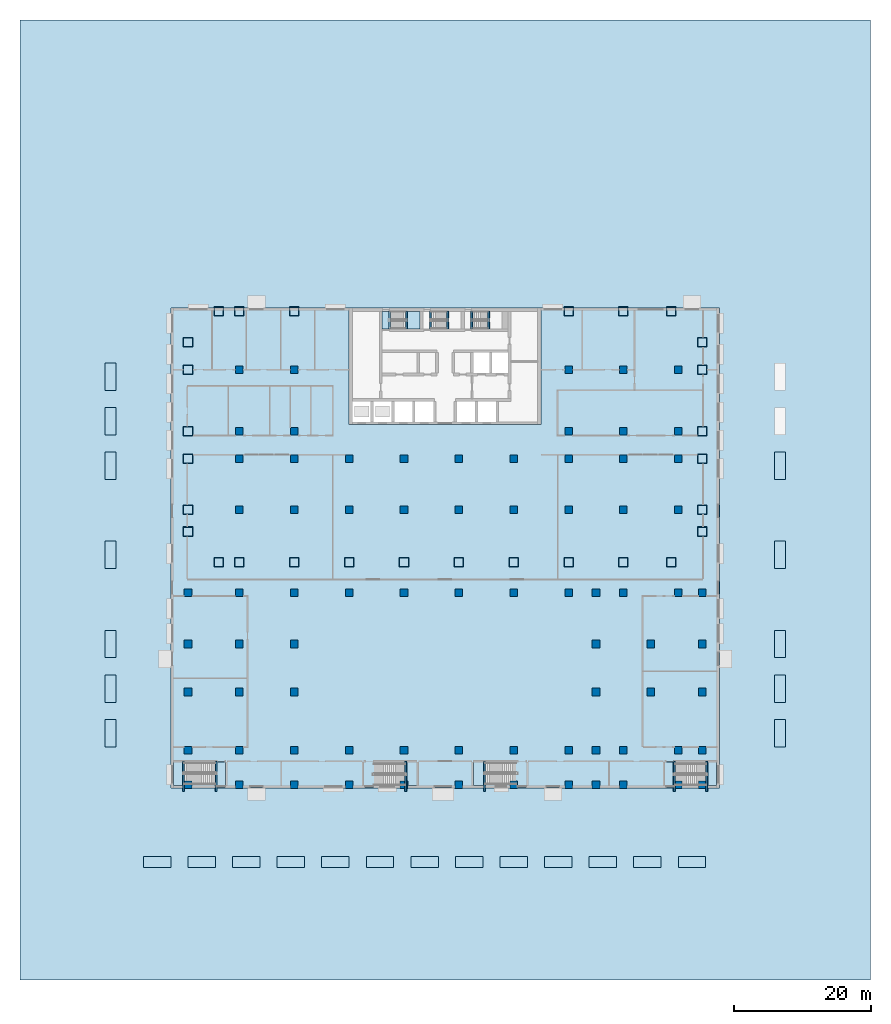
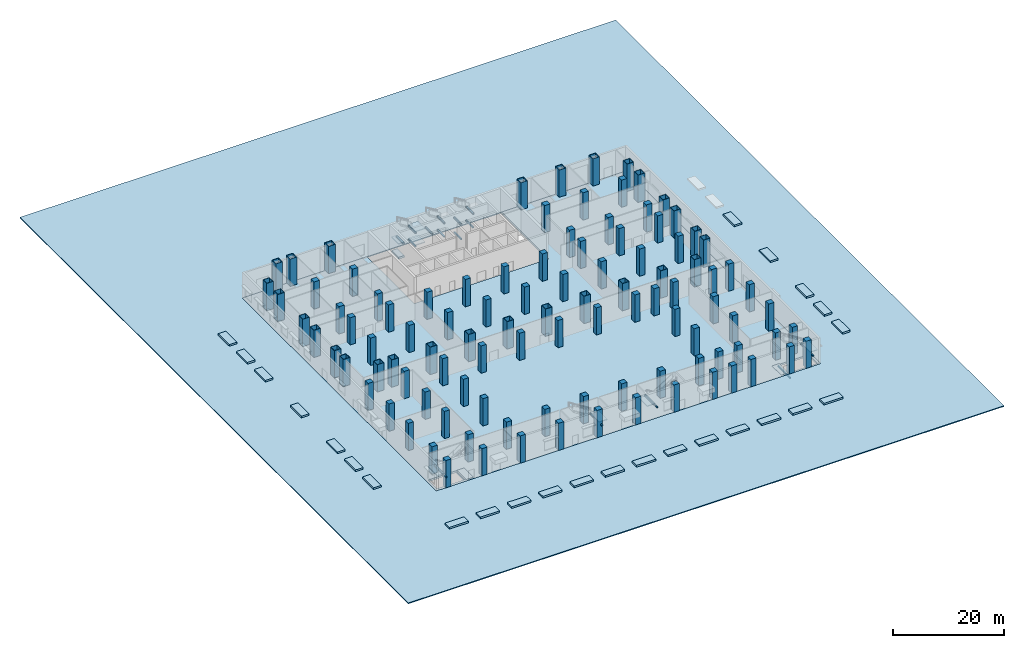
# One storey, part 1 of 18: 104 columns, 37 slabs, 16 beams, 5 elements without a shape of their own.
"""IFC4 building model written with IfcOpenShell, lengths in metres."""

from ifc_helpers import new_model, si_unit, direction, frame, origin, origin_2d, place, context, subcontext, project, spatial, polyline, rectangle, hollow_rectangle, outline, extrude, material, layer, layer_set, material_profile, profile_set, type_object, element, aggregate, save


model = new_model("IFC4")

# Units and contexts
model_context = context("Model", 3, precision=1e-05, world=origin(), true_north=direction((0.0, 1.0)))
body_context = subcontext(model_context, "Body", "Model", "MODEL_VIEW")
ifc_project = project(units=[si_unit("LENGTHUNIT", "METRE"), si_unit("AREAUNIT", "SQUARE_METRE"), si_unit("VOLUMEUNIT", "CUBIC_METRE"), si_unit("PLANEANGLEUNIT", "RADIAN"), si_unit("MASSUNIT", "GRAM", prefix="KILO")], contexts=[model_context])

# Site, building, storey
site_placement = place(None, origin())
site = spatial("IfcSite", under=ifc_project, at=site_placement, CompositionType="ELEMENT")
building_placement = place(site_placement, origin())
building = spatial("IfcBuilding", under=site, at=building_placement, Name="Vidyagriha Tower", CompositionType="ELEMENT")
storey_placement = place(building_placement, origin())
storey = spatial("IfcBuildingStorey", under=building, at=storey_placement, Name="L00", CompositionType="ELEMENT", Elevation=0.0)

# Columns
ifc_material_1 = material(Name="Steel ASTM A572 Grade 50", Category="steel")
ifc_material_profile_1 = material_profile(ifc_material_1, hollow_rectangle(XDim=1.39990234375, YDim=1.39990234375, WallThickness=0.080078125, at=origin_2d()), Name="BOX 1400x1400x80")
ifc_profile_set_1 = profile_set([ifc_material_profile_1], Name="Steel ASTM A572 Grade 50")
column_type_1 = type_object("IfcColumnType", Name="Exoskeleton column BOX 1400x1400x80", PredefinedType="COLUMN", material=ifc_profile_set_1)
for number, where, name in (
    (1, (-33.0, -17.10009765625, 0.0), "st-col-L00-B1-001"),
    (2, (-30.0, -17.10009765625, 0.0), "st-col-L00-B1-002"),
    (3, (-22.0, -17.10009765625, 0.0), "st-col-L00-B1-003"),
    (4, (-14.0, -17.10009765625, 0.0), "st-col-L00-B1-004"),
    (5, (-6.0, -17.10009765625, 0.0), "st-col-L00-B1-005"),
    (6, (2.0, -17.10009765625, 0.0), "st-col-L00-B1-006"),
    (7, (10.0, -17.10009765625, 0.0), "st-col-L00-B1-007"),
    (8, (18.0, -17.10009765625, 0.0), "st-col-L00-B1-008"),
    (9, (26.0, -17.10009765625, 0.0), "st-col-L00-B1-009"),
    (10, (33.0, -17.10009765625, 0.0), "st-col-L00-B1-010"),
    (11, (-37.5, -12.60009765625, 0.0), "st-col-L00-B1-011"),
    (12, (37.5, -12.60009765625, 0.0), "st-col-L00-B1-012"),
    (13, (-37.5, -9.39990234375, 0.0), "st-col-L00-B1-013"),
    (14, (37.5, -9.39990234375, 0.0), "st-col-L00-B1-023"),
    (15, (-37.5, -2.0, 0.0), "st-col-L00-B1-024"),
    (16, (37.5, -2.0, 0.0), "st-col-L00-B1-034"),
    (17, (-37.5, 2.0, 0.0), "st-col-L00-B1-035"),
    (18, (37.5, 2.0, 0.0), "st-col-L00-B1-041"),
    (19, (-37.5, 11.0, 0.0), "st-col-L00-B1-042"),
    (20, (37.5, 11.0, 0.0), "st-col-L00-B1-048"),
    (21, (-37.5, 15.0, 0.0), "st-col-L00-B1-049"),
    (22, (37.5, 15.0, 0.0), "st-col-L00-B1-050"),
    (23, (-33.0, 19.5, 0.0), "st-col-L00-B1-051"),
    (24, (-30.0, 19.5, 0.0), "st-col-L00-B1-052"),
    (25, (-22.0, 19.5, 0.0), "st-col-L00-B1-053"),
    (26, (18.0, 19.5, 0.0), "st-col-L00-B1-054"),
    (27, (26.0, 19.5, 0.0), "st-col-L00-B1-055"),
    (28, (33.0, 19.5, 0.0), "st-col-L00-B1-056"),
):
    element("IfcColumn", number, at=place(storey_placement, frame(where)), inside=storey, type_object=column_type_1, Name=name, PredefinedType="COLUMN", context=body_context, shape_type="SweptSolid", body=[
        extrude(hollow_rectangle(XDim=1.39990234375, YDim=1.39990234375, WallThickness=0.080078125, at=origin_2d()), origin(), (0.0, 0.0, 1.0), 6.0),
    ])
ifc_material_2 = material(Name="Concrete C80/95", Category="concrete")
ifc_material_profile_2 = material_profile(ifc_material_2, rectangle(XDim=1.10009765625, YDim=1.10009765625, at=origin_2d()), Name="RC 1100x1100")
ifc_profile_set_2 = profile_set([ifc_material_profile_2], Name="Concrete C80/95")
column_type_2 = type_object("IfcColumnType", Name="Frame column RC 1100x1100", PredefinedType="COLUMN", material=ifc_profile_set_2)
for number, where, name in (
    (29, (-30.0, -9.39990234375, 0.0), "st-col-L00-B1-014"),
    (30, (-22.0, -9.39990234375, 0.0), "st-col-L00-B1-015"),
    (31, (-14.0, -9.39990234375, 0.0), "st-col-L00-B1-016"),
    (32, (-6.0, -9.39990234375, 0.0), "st-col-L00-B1-017"),
    (33, (2.0, -9.39990234375, 0.0), "st-col-L00-B1-018"),
    (34, (10.0, -9.39990234375, 0.0), "st-col-L00-B1-019"),
    (35, (18.0, -9.39990234375, 0.0), "st-col-L00-B1-020"),
    (36, (26.0, -9.39990234375, 0.0), "st-col-L00-B1-021"),
    (37, (34.0, -9.39990234375, 0.0), "st-col-L00-B1-022"),
    (38, (-30.0, -2.0, 0.0), "st-col-L00-B1-025"),
    (39, (-22.0, -2.0, 0.0), "st-col-L00-B1-026"),
    (40, (-14.0, -2.0, 0.0), "st-col-L00-B1-027"),
    (41, (-6.0, -2.0, 0.0), "st-col-L00-B1-028"),
    (42, (2.0, -2.0, 0.0), "st-col-L00-B1-029"),
    (43, (10.0, -2.0, 0.0), "st-col-L00-B1-030"),
    (44, (18.0, -2.0, 0.0), "st-col-L00-B1-031"),
    (45, (26.0, -2.0, 0.0), "st-col-L00-B1-032"),
    (46, (34.0, -2.0, 0.0), "st-col-L00-B1-033"),
    (47, (-30.0, 2.0, 0.0), "st-col-L00-B1-036"),
    (48, (-22.0, 2.0, 0.0), "st-col-L00-B1-037"),
    (49, (18.0, 2.0, 0.0), "st-col-L00-B1-038"),
    (50, (26.0, 2.0, 0.0), "st-col-L00-B1-039"),
    (51, (34.0, 2.0, 0.0), "st-col-L00-B1-040"),
    (52, (-30.0, 11.0, 0.0), "st-col-L00-B1-043"),
    (53, (-22.0, 11.0, 0.0), "st-col-L00-B1-044"),
    (54, (18.0, 11.0, 0.0), "st-col-L00-B1-045"),
    (55, (26.0, 11.0, 0.0), "st-col-L00-B1-046"),
    (56, (34.0, 11.0, 0.0), "st-col-L00-B1-047"),
):
    element("IfcColumn", number, at=place(storey_placement, frame(where)), inside=storey, type_object=column_type_2, Name=name, PredefinedType="COLUMN", context=body_context, shape_type="SweptSolid", body=[
        extrude(rectangle(XDim=1.10009765625, YDim=1.10009765625, at=origin_2d()), origin(), (0.0, 0.0, 1.0), 6.0),
    ])
ifc_material_3 = material(Name="Concrete C80/95", Category="concrete")
ifc_material_profile_3 = material_profile(ifc_material_3, rectangle(XDim=1.10009765625, YDim=1.10009765625, at=origin_2d()), Name="RC 1100x1100")
ifc_profile_set_3 = profile_set([ifc_material_profile_3], Name="Concrete C80/95")
column_type_3 = type_object("IfcColumnType", Name="Podium column RC 1100x1100", PredefinedType="COLUMN", material=ifc_profile_set_3)
for number, where, name in (
    (57, (-37.5, -49.5, 0.0), "st-col-L00-P-057"),
    (58, (-30.0, -49.5, 0.0), "st-col-L00-P-058"),
    (59, (-22.0, -49.5, 0.0), "st-col-L00-P-059"),
    (60, (-14.0, -49.5, 0.0), "st-col-L00-P-060"),
    (61, (-6.0, -49.5, 0.0), "st-col-L00-P-061"),
    (62, (2.0, -49.5, 0.0), "st-col-L00-P-062"),
    (63, (10.0, -49.5, 0.0), "st-col-L00-P-063"),
    (64, (18.0, -49.5, 0.0), "st-col-L00-P-064"),
    (65, (22.0, -49.5, 0.0), "st-col-L00-P-065"),
    (66, (26.0, -49.5, 0.0), "st-col-L00-P-066"),
    (67, (34.0, -49.5, 0.0), "st-col-L00-P-067"),
    (68, (37.5, -49.5, 0.0), "st-col-L00-P-068"),
    (69, (-37.5, -44.5, 0.0), "st-col-L00-P-069"),
    (70, (-30.0, -44.5, 0.0), "st-col-L00-P-070"),
    (71, (-22.0, -44.5, 0.0), "st-col-L00-P-071"),
    (72, (-14.0, -44.5, 0.0), "st-col-L00-P-072"),
    (73, (-6.0, -44.5, 0.0), "st-col-L00-P-073"),
    (74, (2.0, -44.5, 0.0), "st-col-L00-P-074"),
    (75, (10.0, -44.5, 0.0), "st-col-L00-P-075"),
    (76, (18.0, -44.5, 0.0), "st-col-L00-P-076"),
    (77, (22.0, -44.5, 0.0), "st-col-L00-P-077"),
    (78, (26.0, -44.5, 0.0), "st-col-L00-P-078"),
    (79, (34.0, -44.5, 0.0), "st-col-L00-P-079"),
    (80, (37.5, -44.5, 0.0), "st-col-L00-P-080"),
    (81, (-37.5, -36.0, 0.0), "st-col-L00-P-081"),
    (82, (-30.0, -36.0, 0.0), "st-col-L00-P-082"),
    (83, (-22.0, -36.0, 0.0), "st-col-L00-P-083"),
    (84, (22.0, -36.0, 0.0), "st-col-L00-P-084"),
    (85, (30.0, -36.0, 0.0), "st-col-L00-P-085"),
    (86, (37.5, -36.0, 0.0), "st-col-L00-P-086"),
    (87, (-37.5, -29.0, 0.0), "st-col-L00-P-087"),
    (88, (-30.0, -29.0, 0.0), "st-col-L00-P-088"),
    (89, (-22.0, -29.0, 0.0), "st-col-L00-P-089"),
    (90, (22.0, -29.0, 0.0), "st-col-L00-P-090"),
    (91, (30.0, -29.0, 0.0), "st-col-L00-P-091"),
    (92, (37.5, -29.0, 0.0), "st-col-L00-P-092"),
    (93, (-37.5, -21.5, 0.0), "st-col-L00-P-093"),
    (94, (-30.0, -21.5, 0.0), "st-col-L00-P-094"),
    (95, (-22.0, -21.5, 0.0), "st-col-L00-P-095"),
    (96, (-14.0, -21.5, 0.0), "st-col-L00-P-096"),
    (97, (-6.0, -21.5, 0.0), "st-col-L00-P-097"),
    (98, (2.0, -21.5, 0.0), "st-col-L00-P-098"),
    (99, (10.0, -21.5, 0.0), "st-col-L00-P-099"),
    (100, (18.0, -21.5, 0.0), "st-col-L00-P-100"),
    (101, (22.0, -21.5, 0.0), "st-col-L00-P-101"),
    (102, (26.0, -21.5, 0.0), "st-col-L00-P-102"),
    (103, (34.0, -21.5, 0.0), "st-col-L00-P-103"),
    (104, (37.5, -21.5, 0.0), "st-col-L00-P-104"),
):
    element("IfcColumn", number, at=place(storey_placement, frame(where)), inside=storey, type_object=column_type_3, Name=name, PredefinedType="COLUMN", context=body_context, shape_type="SweptSolid", body=[
        extrude(rectangle(XDim=1.10009765625, YDim=1.10009765625, at=origin_2d()), origin(), (0.0, 0.0, 1.0), 6.0),
    ])

# Beams
ifc_material_4 = material(Name="Concrete C40/50", Category="concrete")
ifc_material_profile_4 = material_profile(ifc_material_4, rectangle(XDim=0.25, YDim=0.300048828125, at=origin_2d()), Name="Stair landing bearing beam 250x300")
ifc_profile_set_4 = profile_set([ifc_material_profile_4], Name="Concrete C40/50")
beam_type = type_object("IfcBeamType", Name="Stair landing bearing beam 250x300", PredefinedType="BEAM", material=ifc_profile_set_4)
for number, where, z_axis, x_axis, name in (
    (105, (3.875, 16.949951171875, -0.570068359375), (0.0, 1.0, 0.0), (-1.0, 0.0, 0.0), "ST3 floor landing bearing beam L00"),
    (106, (-5.635009765625, 16.949951171875, 1.14990234375), (0.0, 1.0, 0.0), (-1.0, 0.0, 0.0), "ST1 landing bearing beam L00"),
    (107, (-8.125, 16.949951171875, 2.64990234375), (0.0, 1.0, 0.0), (-1.0, 0.0, 0.0), "ST1 landing bearing beam L00"),
    (108, (-5.635009765625, 16.949951171875, 4.14990234375), (0.0, 1.0, 0.0), (-1.0, 0.0, 0.0), "ST1 landing bearing beam L00"),
    (109, (0.364990234375, 16.949951171875, 1.14990234375), (0.0, 1.0, 0.0), (-1.0, 0.0, 0.0), "ST2 landing bearing beam L00"),
    (110, (-2.125, 16.949951171875, 2.64990234375), (0.0, 1.0, 0.0), (-1.0, 0.0, 0.0), "ST2 landing bearing beam L00"),
    (111, (0.364990234375, 16.949951171875, 4.14990234375), (0.0, 1.0, 0.0), (-1.0, 0.0, 0.0), "ST2 landing bearing beam L00"),
    (112, (6.364990234375, 16.949951171875, 1.14990234375), (0.0, 1.0, 0.0), (-1.0, 0.0, 0.0), "ST3 landing bearing beam L00"),
    (113, (3.875, 16.949951171875, 2.64990234375), (0.0, 1.0, 0.0), (-1.0, 0.0, 0.0), "ST3 landing bearing beam L00"),
    (114, (6.364990234375, 16.949951171875, 4.14990234375), (0.0, 1.0, 0.0), (-1.0, 0.0, 0.0), "ST3 landing bearing beam L00"),
):
    element("IfcBeam", number, at=place(storey_placement, frame(where, z_axis=z_axis, x_axis=x_axis)), inside=storey, type_object=beam_type, Name=name, PredefinedType="BEAM", context=body_context, shape_type="SweptSolid", body=[
        extrude(rectangle(XDim=0.25, YDim=0.300048828125, at=origin_2d()), origin(), (0.0, 0.0, 1.0), 2.550048828125),
    ])
for number, where, z_axis, x_axis, name in (
    (115, (-33.419921875, -50.5, -0.570068359375), (0.0, 1.0, 0.0), (-1.0, 0.0, 0.0), "PS1 floor landing bearing beam L00"),
    (116, (-38.159912109375, -50.5, 2.64990234375), (0.0, 1.0, 0.0), (-1.0, 0.0, 0.0), "PS1 landing bearing beam L00"),
    (117, (33.419921875, -50.5, -0.570068359375), (0.0, 1.0, 0.0), (-1.0, 0.0, 0.0), "PS2 floor landing bearing beam L00"),
    (118, (38.159912109375, -50.5, 2.64990234375), (0.0, 1.0, 0.0), (-1.0, 0.0, 0.0), "PS2 landing bearing beam L00"),
    (119, (-5.739990234375, -50.5, 2.64990234375), (0.0, 1.0, 0.0), (-1.0, 0.0, 0.0), "PS3 landing bearing beam L00"),
    (120, (5.739990234375, -50.5, 2.64990234375), (0.0, 1.0, 0.0), (-1.0, 0.0, 0.0), "PS4 landing bearing beam L00"),
):
    element("IfcBeam", number, at=place(storey_placement, frame(where, z_axis=z_axis, x_axis=x_axis)), inside=storey, type_object=beam_type, Name=name, PredefinedType="BEAM", context=body_context, shape_type="SweptSolid", body=[
        extrude(rectangle(XDim=0.25, YDim=0.300048828125, at=origin_2d()), origin(), (0.0, 0.0, 1.0), 4.39990234375),
    ])

# Slab
ifc_material_5 = material(Name="Concrete C40/50", Category="concrete")
ifc_layer_1 = layer(ifc_material_5, 0.419921875)
ifc_layer_set_1 = layer_set([ifc_layer_1], Name="Concrete C40/50")
slab_type_1 = type_object("IfcSlabType", Name="Exit stair floor landing 420 mm", PredefinedType="LANDING", material=ifc_layer_set_1)
slab_1_placement = place(storey_placement, frame((0.0, 0.0, -0.419921875)))
element("IfcSlab", 121, at=slab_1_placement, inside=storey, type_object=slab_type_1, Name="ST1 floor landing L00", PredefinedType="LANDING", context=body_context, shape_type="SweptSolid", body=[
    extrude(outline(polyline([(-9.199951171875, 16.949951171875), (-8.0, 16.949951171875), (-8.0, 19.5), (-9.199951171875, 19.5), (-9.199951171875, 16.949951171875)])), origin(), (0.0, 0.0, 1.0), 0.419921875),
])

# Stair, slabs
ifc_material_6 = material(Name="Concrete C40/50", Category="concrete")
stair_type_1 = type_object("IfcStairType", Name="Exit stair, half-turn, precast flights", PredefinedType="HALF_TURN_STAIR", material=ifc_material_6)
stair_1_placement = place(storey_placement, origin())
stair_1 = element("IfcStair", 122, at=stair_1_placement, inside=storey, type_object=stair_type_1, Name="L00 Exit Stair ST1", PredefinedType="HALF_TURN_STAIR")
ifc_material_7 = material(Name="Concrete C40/50", Category="concrete")
ifc_layer_2 = layer(ifc_material_7, 0.199951171875)
ifc_layer_set_2 = layer_set([ifc_layer_2], Name="Concrete C40/50")
slab_type_2 = type_object("IfcSlabType", Name="Exit stair landing 200 mm", PredefinedType="LANDING", material=ifc_layer_set_2)
slab_2_placement = place(storey_placement, frame((0.0, 0.0, 1.300048828125)))
slab_2 = element("IfcSlab", 123, at=slab_2_placement, type_object=slab_type_2, Name="ST1 landing 1", PredefinedType="LANDING", context=body_context, shape_type="SweptSolid", body=[
    extrude(outline(polyline([(-5.760009765625, 16.949951171875), (-3.699951171875, 16.949951171875), (-3.699951171875, 19.5), (-5.760009765625, 19.5), (-5.760009765625, 16.949951171875)])), origin(), (0.0, 0.0, 1.0), 0.199951171875),
])
slab_3_placement = place(storey_placement, frame((0.0, 0.0, 2.800048828125)))
slab_3 = element("IfcSlab", 124, at=slab_3_placement, type_object=slab_type_2, Name="ST1 landing 2", PredefinedType="LANDING", context=body_context, shape_type="SweptSolid", body=[
    extrude(outline(polyline([(-9.199951171875, 16.949951171875), (-8.0, 16.949951171875), (-8.0, 19.5), (-9.199951171875, 19.5), (-9.199951171875, 16.949951171875)])), origin(), (0.0, 0.0, 1.0), 0.199951171875),
])
slab_4_placement = place(storey_placement, frame((0.0, 0.0, 4.300048828125)))
slab_4 = element("IfcSlab", 125, at=slab_4_placement, type_object=slab_type_2, Name="ST1 landing 3", PredefinedType="LANDING", context=body_context, shape_type="SweptSolid", body=[
    extrude(outline(polyline([(-5.760009765625, 16.949951171875), (-3.699951171875, 16.949951171875), (-3.699951171875, 19.5), (-5.760009765625, 19.5), (-5.760009765625, 16.949951171875)])), origin(), (0.0, 0.0, 1.0), 0.199951171875),
])
aggregate(stair_1, [slab_2, slab_3, slab_4])

# Stair, slab
ifc_material_8 = material(Name="Concrete C32/40", Category="concrete")
stair_type_2 = type_object("IfcStairType", Name="Podium Exit Stair 1500", PredefinedType="HALF_TURN_STAIR", material=ifc_material_8)
stair_2_placement = place(storey_placement, origin())
stair_2 = element("IfcStair", 126, at=stair_2_placement, inside=storey, type_object=stair_type_2, Name="L00 Exit Stair PS1", PredefinedType="HALF_TURN_STAIR")
ifc_material_9 = material(Name="Concrete C32/40", Category="concrete")
ifc_layer_3 = layer(ifc_material_9, 0.199951171875)
ifc_layer_set_3 = layer_set([ifc_layer_3], Name="Concrete C32/40")
slab_type_3 = type_object("IfcSlabType", Name="Podium Stair Landing 200", PredefinedType="LANDING", material=ifc_layer_set_3)
slab_5_placement = place(storey_placement, frame((0.0, 0.0, 2.800048828125)))
slab_5 = element("IfcSlab", 127, at=slab_5_placement, type_object=slab_type_3, Name="PS1 landing 1", PredefinedType="LANDING", context=body_context, shape_type="SweptSolid", body=[
    extrude(outline(polyline([(-38.02490234375, -46.22509765625), (-39.60009765625, -46.22509765625), (-39.60009765625, -49.60009765625), (-38.02490234375, -49.60009765625), (-38.02490234375, -46.22509765625)])), origin(), (0.0, 0.0, 1.0), 0.199951171875),
])
aggregate(stair_2, [slab_5])

stair_3_placement = place(storey_placement, origin())
stair_3 = element("IfcStair", 128, at=stair_3_placement, inside=storey, type_object=stair_type_2, Name="L00 Exit Stair PS2", PredefinedType="HALF_TURN_STAIR")
slab_6_placement = place(storey_placement, frame((0.0, 0.0, 2.800048828125)))
slab_6 = element("IfcSlab", 129, at=slab_6_placement, type_object=slab_type_3, Name="PS2 landing 1", PredefinedType="LANDING", context=body_context, shape_type="SweptSolid", body=[
    extrude(outline(polyline([(38.02490234375, -49.60009765625), (39.60009765625, -49.60009765625), (39.60009765625, -46.22509765625), (38.02490234375, -46.22509765625), (38.02490234375, -49.60009765625)])), origin(), (0.0, 0.0, 1.0), 0.199951171875),
])
aggregate(stair_3, [slab_6])

stair_4_placement = place(storey_placement, origin())
stair_4 = element("IfcStair", 130, at=stair_4_placement, inside=storey, type_object=stair_type_2, Name="L00 Exit Stair PS3", PredefinedType="HALF_TURN_STAIR")
slab_7_placement = place(storey_placement, frame((0.0, 0.0, 2.800048828125)))
slab_7 = element("IfcSlab", 131, at=slab_7_placement, type_object=slab_type_3, Name="PS3 landing 1", PredefinedType="LANDING", context=body_context, shape_type="SweptSolid", body=[
    extrude(outline(polyline([(-5.875, -49.60009765625), (-4.125, -49.60009765625), (-4.125, -46.22509765625), (-5.875, -46.22509765625), (-5.875, -49.60009765625)])), origin(), (0.0, 0.0, 1.0), 0.199951171875),
])
aggregate(stair_4, [slab_7])

stair_5_placement = place(storey_placement, origin())
stair_5 = element("IfcStair", 132, at=stair_5_placement, inside=storey, type_object=stair_type_2, Name="L00 Exit Stair PS4", PredefinedType="HALF_TURN_STAIR")
slab_8_placement = place(storey_placement, frame((0.0, 0.0, 2.800048828125)))
slab_8 = element("IfcSlab", 133, at=slab_8_placement, type_object=slab_type_3, Name="PS4 landing 1", PredefinedType="LANDING", context=body_context, shape_type="SweptSolid", body=[
    extrude(outline(polyline([(5.875, -46.22509765625), (4.125, -46.22509765625), (4.125, -49.60009765625), (5.875, -49.60009765625), (5.875, -46.22509765625)])), origin(), (0.0, 0.0, 1.0), 0.199951171875),
])
aggregate(stair_5, [slab_8])

# Slabs
ifc_material_10 = material(Name="Concrete C32/40", Category="concrete")
ifc_layer_4 = layer(ifc_material_10, 0.419921875)
ifc_layer_set_4 = layer_set([ifc_layer_4], Name="Concrete C32/40")
slab_type_4 = type_object("IfcSlabType", Name="Podium stair floor landing 420 mm", PredefinedType="LANDING", material=ifc_layer_set_4)
slab_9_placement = place(storey_placement, frame((0.0, 0.0, -0.419921875)))
element("IfcSlab", 134, at=slab_9_placement, inside=storey, type_object=slab_type_4, Name="PS1 floor landing L00", PredefinedType="LANDING", context=body_context, shape_type="SweptSolid", body=[
    extrude(outline(polyline([(-33.544921875, -49.60009765625), (-32.02490234375, -49.60009765625), (-32.02490234375, -46.22509765625), (-33.544921875, -46.22509765625), (-33.544921875, -49.60009765625)])), origin(), (0.0, 0.0, 1.0), 0.419921875),
])
slab_10_placement = place(storey_placement, frame((0.0, 0.0, -0.419921875)))
element("IfcSlab", 135, at=slab_10_placement, inside=storey, type_object=slab_type_4, Name="PS2 floor landing L00", PredefinedType="LANDING", context=body_context, shape_type="SweptSolid", body=[
    extrude(outline(polyline([(32.02490234375, -49.60009765625), (33.544921875, -49.60009765625), (33.544921875, -46.22509765625), (32.02490234375, -46.22509765625), (32.02490234375, -49.60009765625)])), origin(), (0.0, 0.0, 1.0), 0.419921875),
])
ifc_material_11 = material(Name="Concrete C50/60", Category="concrete")
ifc_layer_5 = layer(ifc_material_11, 0.419921875)
ifc_layer_set_5 = layer_set([ifc_layer_5], Name="Concrete C50/60")
slab_type_5 = type_object("IfcSlabType", Name="Post-tensioned ground floor slab 420", PredefinedType="FLOOR", material=ifc_layer_set_5)
slab_11_placement = place(storey_placement, frame((0.0, 0.0, -0.419921875)))
element("IfcSlab", 136, at=slab_11_placement, inside=storey, type_object=slab_type_5, Name="st-slab-L00-1", PredefinedType="FLOOR", context=body_context, shape_type="SweptSolid", body=[
    extrude(outline(polyline([(40.0, 20.0), (40.0, -50.0), (-40.0, -50.0), (-40.0, 20.0), (-14.0, 20.0), (-14.0, 3.0), (14.0, 3.0), (14.0, 20.0), (40.0, 20.0)]), holes=[polyline([(-33.544921875, -46.22509765625), (-33.544921875, -46.300048828125), (-39.574951171875, -46.300048828125), (-39.574951171875, -49.449951171875), (-33.544921875, -49.449951171875), (-33.544921875, -49.60009765625), (-32.02490234375, -49.60009765625), (-32.02490234375, -46.22509765625), (-33.544921875, -46.22509765625)]), polyline([(33.544921875, -49.60009765625), (39.574951171875, -49.60009765625), (39.574951171875, -46.449951171875), (33.544921875, -46.449951171875), (33.544921875, -46.22509765625), (32.02490234375, -46.22509765625), (32.02490234375, -49.60009765625), (33.544921875, -49.60009765625)])]), origin(), (0.0, 0.0, 1.0), 0.419921875),
])
ifc_material_12 = material(Name="Precast concrete C30/37 with brick facing", Category="concrete")
ifc_layer_6 = layer(ifc_material_12, 0.3798828125)
ifc_layer_set_6 = layer_set([ifc_layer_6], Name="Precast concrete C30/37 with brick facing")
slab_type_6 = type_object("IfcSlabType", Name="Raised planter bed 380 mm", PredefinedType="USERDEFINED", material=ifc_layer_set_6)
slab_12_placement = place(storey_placement, origin())
element("IfcSlab", 137, at=slab_12_placement, inside=storey, type_object=slab_type_6, Name="Planter bed S01", ObjectType="PLANTER", PredefinedType="USERDEFINED", context=body_context, shape_type="SweptSolid", body=[
    extrude(outline(polyline([(-44.0, -61.60009765625), (-40.0, -61.60009765625), (-40.0, -60.0), (-44.0, -60.0), (-44.0, -61.60009765625)])), origin(), (0.0, 0.0, 1.0), 0.3798828125),
])
slab_13_placement = place(storey_placement, origin())
element("IfcSlab", 138, at=slab_13_placement, inside=storey, type_object=slab_type_6, Name="Planter bed S02", ObjectType="PLANTER", PredefinedType="USERDEFINED", context=body_context, shape_type="SweptSolid", body=[
    extrude(outline(polyline([(-37.5, -61.60009765625), (-33.5, -61.60009765625), (-33.5, -60.0), (-37.5, -60.0), (-37.5, -61.60009765625)])), origin(), (0.0, 0.0, 1.0), 0.3798828125),
])
slab_14_placement = place(storey_placement, origin())
element("IfcSlab", 139, at=slab_14_placement, inside=storey, type_object=slab_type_6, Name="Planter bed S03", ObjectType="PLANTER", PredefinedType="USERDEFINED", context=body_context, shape_type="SweptSolid", body=[
    extrude(outline(polyline([(-31.0, -61.60009765625), (-27.0, -61.60009765625), (-27.0, -60.0), (-31.0, -60.0), (-31.0, -61.60009765625)])), origin(), (0.0, 0.0, 1.0), 0.3798828125),
])
slab_15_placement = place(storey_placement, origin())
element("IfcSlab", 140, at=slab_15_placement, inside=storey, type_object=slab_type_6, Name="Planter bed S04", ObjectType="PLANTER", PredefinedType="USERDEFINED", context=body_context, shape_type="SweptSolid", body=[
    extrude(outline(polyline([(-24.5, -61.60009765625), (-20.5, -61.60009765625), (-20.5, -60.0), (-24.5, -60.0), (-24.5, -61.60009765625)])), origin(), (0.0, 0.0, 1.0), 0.3798828125),
])
slab_16_placement = place(storey_placement, origin())
element("IfcSlab", 141, at=slab_16_placement, inside=storey, type_object=slab_type_6, Name="Planter bed S05", ObjectType="PLANTER", PredefinedType="USERDEFINED", context=body_context, shape_type="SweptSolid", body=[
    extrude(outline(polyline([(-18.0, -61.60009765625), (-14.0, -61.60009765625), (-14.0, -60.0), (-18.0, -60.0), (-18.0, -61.60009765625)])), origin(), (0.0, 0.0, 1.0), 0.3798828125),
])
slab_17_placement = place(storey_placement, origin())
element("IfcSlab", 142, at=slab_17_placement, inside=storey, type_object=slab_type_6, Name="Planter bed S06", ObjectType="PLANTER", PredefinedType="USERDEFINED", context=body_context, shape_type="SweptSolid", body=[
    extrude(outline(polyline([(-11.5, -61.60009765625), (-7.5, -61.60009765625), (-7.5, -60.0), (-11.5, -60.0), (-11.5, -61.60009765625)])), origin(), (0.0, 0.0, 1.0), 0.3798828125),
])
slab_18_placement = place(storey_placement, origin())
element("IfcSlab", 143, at=slab_18_placement, inside=storey, type_object=slab_type_6, Name="Planter bed S07", ObjectType="PLANTER", PredefinedType="USERDEFINED", context=body_context, shape_type="SweptSolid", body=[
    extrude(outline(polyline([(-5.0, -61.60009765625), (-1.0, -61.60009765625), (-1.0, -60.0), (-5.0, -60.0), (-5.0, -61.60009765625)])), origin(), (0.0, 0.0, 1.0), 0.3798828125),
])
slab_19_placement = place(storey_placement, origin())
element("IfcSlab", 144, at=slab_19_placement, inside=storey, type_object=slab_type_6, Name="Planter bed S08", ObjectType="PLANTER", PredefinedType="USERDEFINED", context=body_context, shape_type="SweptSolid", body=[
    extrude(outline(polyline([(1.5, -61.60009765625), (5.5, -61.60009765625), (5.5, -60.0), (1.5, -60.0), (1.5, -61.60009765625)])), origin(), (0.0, 0.0, 1.0), 0.3798828125),
])
slab_20_placement = place(storey_placement, origin())
element("IfcSlab", 145, at=slab_20_placement, inside=storey, type_object=slab_type_6, Name="Planter bed S09", ObjectType="PLANTER", PredefinedType="USERDEFINED", context=body_context, shape_type="SweptSolid", body=[
    extrude(outline(polyline([(8.0, -61.60009765625), (12.0, -61.60009765625), (12.0, -60.0), (8.0, -60.0), (8.0, -61.60009765625)])), origin(), (0.0, 0.0, 1.0), 0.3798828125),
])
slab_21_placement = place(storey_placement, origin())
element("IfcSlab", 146, at=slab_21_placement, inside=storey, type_object=slab_type_6, Name="Planter bed S10", ObjectType="PLANTER", PredefinedType="USERDEFINED", context=body_context, shape_type="SweptSolid", body=[
    extrude(outline(polyline([(14.5, -61.60009765625), (18.5, -61.60009765625), (18.5, -60.0), (14.5, -60.0), (14.5, -61.60009765625)])), origin(), (0.0, 0.0, 1.0), 0.3798828125),
])
slab_22_placement = place(storey_placement, origin())
element("IfcSlab", 147, at=slab_22_placement, inside=storey, type_object=slab_type_6, Name="Planter bed S11", ObjectType="PLANTER", PredefinedType="USERDEFINED", context=body_context, shape_type="SweptSolid", body=[
    extrude(outline(polyline([(21.0, -61.60009765625), (25.0, -61.60009765625), (25.0, -60.0), (21.0, -60.0), (21.0, -61.60009765625)])), origin(), (0.0, 0.0, 1.0), 0.3798828125),
])
slab_23_placement = place(storey_placement, origin())
element("IfcSlab", 148, at=slab_23_placement, inside=storey, type_object=slab_type_6, Name="Planter bed S12", ObjectType="PLANTER", PredefinedType="USERDEFINED", context=body_context, shape_type="SweptSolid", body=[
    extrude(outline(polyline([(27.5, -61.60009765625), (31.5, -61.60009765625), (31.5, -60.0), (27.5, -60.0), (27.5, -61.60009765625)])), origin(), (0.0, 0.0, 1.0), 0.3798828125),
])
slab_24_placement = place(storey_placement, origin())
element("IfcSlab", 149, at=slab_24_placement, inside=storey, type_object=slab_type_6, Name="Planter bed S13", ObjectType="PLANTER", PredefinedType="USERDEFINED", context=body_context, shape_type="SweptSolid", body=[
    extrude(outline(polyline([(34.0, -61.60009765625), (38.0, -61.60009765625), (38.0, -60.0), (34.0, -60.0), (34.0, -61.60009765625)])), origin(), (0.0, 0.0, 1.0), 0.3798828125),
])
slab_25_placement = place(storey_placement, origin())
element("IfcSlab", 150, at=slab_25_placement, inside=storey, type_object=slab_type_6, Name="Planter bed W01", ObjectType="PLANTER", PredefinedType="USERDEFINED", context=body_context, shape_type="SweptSolid", body=[
    extrude(outline(polyline([(-49.60009765625, -44.0), (-48.0, -44.0), (-48.0, -40.0), (-49.60009765625, -40.0), (-49.60009765625, -44.0)])), origin(), (0.0, 0.0, 1.0), 0.3798828125),
])
slab_26_placement = place(storey_placement, origin())
element("IfcSlab", 151, at=slab_26_placement, inside=storey, type_object=slab_type_6, Name="Planter bed W02", ObjectType="PLANTER", PredefinedType="USERDEFINED", context=body_context, shape_type="SweptSolid", body=[
    extrude(outline(polyline([(-49.60009765625, -37.5), (-48.0, -37.5), (-48.0, -33.5), (-49.60009765625, -33.5), (-49.60009765625, -37.5)])), origin(), (0.0, 0.0, 1.0), 0.3798828125),
])
slab_27_placement = place(storey_placement, origin())
element("IfcSlab", 152, at=slab_27_placement, inside=storey, type_object=slab_type_6, Name="Planter bed W03", ObjectType="PLANTER", PredefinedType="USERDEFINED", context=body_context, shape_type="SweptSolid", body=[
    extrude(outline(polyline([(-49.60009765625, -31.0), (-48.0, -31.0), (-48.0, -27.0), (-49.60009765625, -27.0), (-49.60009765625, -31.0)])), origin(), (0.0, 0.0, 1.0), 0.3798828125),
])
slab_28_placement = place(storey_placement, origin())
element("IfcSlab", 153, at=slab_28_placement, inside=storey, type_object=slab_type_6, Name="Planter bed W04", ObjectType="PLANTER", PredefinedType="USERDEFINED", context=body_context, shape_type="SweptSolid", body=[
    extrude(outline(polyline([(-49.60009765625, -18.0), (-48.0, -18.0), (-48.0, -14.0), (-49.60009765625, -14.0), (-49.60009765625, -18.0)])), origin(), (0.0, 0.0, 1.0), 0.3798828125),
])
slab_29_placement = place(storey_placement, origin())
element("IfcSlab", 154, at=slab_29_placement, inside=storey, type_object=slab_type_6, Name="Planter bed W05", ObjectType="PLANTER", PredefinedType="USERDEFINED", context=body_context, shape_type="SweptSolid", body=[
    extrude(outline(polyline([(-49.60009765625, -5.0), (-48.0, -5.0), (-48.0, -1.0), (-49.60009765625, -1.0), (-49.60009765625, -5.0)])), origin(), (0.0, 0.0, 1.0), 0.3798828125),
])
slab_30_placement = place(storey_placement, origin())
element("IfcSlab", 155, at=slab_30_placement, inside=storey, type_object=slab_type_6, Name="Planter bed W06", ObjectType="PLANTER", PredefinedType="USERDEFINED", context=body_context, shape_type="SweptSolid", body=[
    extrude(outline(polyline([(-49.60009765625, 1.5), (-48.0, 1.5), (-48.0, 5.5), (-49.60009765625, 5.5), (-49.60009765625, 1.5)])), origin(), (0.0, 0.0, 1.0), 0.3798828125),
])
slab_31_placement = place(storey_placement, origin())
element("IfcSlab", 156, at=slab_31_placement, inside=storey, type_object=slab_type_6, Name="Planter bed W07", ObjectType="PLANTER", PredefinedType="USERDEFINED", context=body_context, shape_type="SweptSolid", body=[
    extrude(outline(polyline([(-49.60009765625, 8.0), (-48.0, 8.0), (-48.0, 12.0), (-49.60009765625, 12.0), (-49.60009765625, 8.0)])), origin(), (0.0, 0.0, 1.0), 0.3798828125),
])
slab_32_placement = place(storey_placement, origin())
element("IfcSlab", 157, at=slab_32_placement, inside=storey, type_object=slab_type_6, Name="Planter bed E01", ObjectType="PLANTER", PredefinedType="USERDEFINED", context=body_context, shape_type="SweptSolid", body=[
    extrude(outline(polyline([(48.0, -44.0), (49.60009765625, -44.0), (49.60009765625, -40.0), (48.0, -40.0), (48.0, -44.0)])), origin(), (0.0, 0.0, 1.0), 0.3798828125),
])
slab_33_placement = place(storey_placement, origin())
element("IfcSlab", 158, at=slab_33_placement, inside=storey, type_object=slab_type_6, Name="Planter bed E02", ObjectType="PLANTER", PredefinedType="USERDEFINED", context=body_context, shape_type="SweptSolid", body=[
    extrude(outline(polyline([(48.0, -37.5), (49.60009765625, -37.5), (49.60009765625, -33.5), (48.0, -33.5), (48.0, -37.5)])), origin(), (0.0, 0.0, 1.0), 0.3798828125),
])
slab_34_placement = place(storey_placement, origin())
element("IfcSlab", 159, at=slab_34_placement, inside=storey, type_object=slab_type_6, Name="Planter bed E03", ObjectType="PLANTER", PredefinedType="USERDEFINED", context=body_context, shape_type="SweptSolid", body=[
    extrude(outline(polyline([(48.0, -31.0), (49.60009765625, -31.0), (49.60009765625, -27.0), (48.0, -27.0), (48.0, -31.0)])), origin(), (0.0, 0.0, 1.0), 0.3798828125),
])
slab_35_placement = place(storey_placement, origin())
element("IfcSlab", 160, at=slab_35_placement, inside=storey, type_object=slab_type_6, Name="Planter bed E04", ObjectType="PLANTER", PredefinedType="USERDEFINED", context=body_context, shape_type="SweptSolid", body=[
    extrude(outline(polyline([(48.0, -18.0), (49.60009765625, -18.0), (49.60009765625, -14.0), (48.0, -14.0), (48.0, -18.0)])), origin(), (0.0, 0.0, 1.0), 0.3798828125),
])
slab_36_placement = place(storey_placement, origin())
element("IfcSlab", 161, at=slab_36_placement, inside=storey, type_object=slab_type_6, Name="Planter bed E05", ObjectType="PLANTER", PredefinedType="USERDEFINED", context=body_context, shape_type="SweptSolid", body=[
    extrude(outline(polyline([(48.0, -5.0), (49.60009765625, -5.0), (49.60009765625, -1.0), (48.0, -1.0), (48.0, -5.0)])), origin(), (0.0, 0.0, 1.0), 0.3798828125),
])
ifc_material_13 = material(Name="Concrete C25/30 paving", Category="concrete")
ifc_layer_7 = layer(ifc_material_13, 0.199951171875)
ifc_layer_set_7 = layer_set([ifc_layer_7], Name="Concrete C25/30 paving")
slab_type_7 = type_object("IfcSlabType", Name="Site Paving Slab 200", PredefinedType="FLOOR", material=ifc_layer_set_7)
slab_37_placement = place(storey_placement, frame((0.0, 0.0, -0.199951171875)))
element("IfcSlab", 162, at=slab_37_placement, inside=storey, type_object=slab_type_7, Name="L00 site paving round the podium", PredefinedType="FLOOR", context=body_context, shape_type="SweptSolid", body=[
    extrude(outline(polyline([(-62.0, -78.0), (62.0, -78.0), (62.0, 62.0), (-62.0, 62.0), (-62.0, -78.0)]), holes=[polyline([(-40.0, -50.0), (-40.0, 20.0), (40.0, 20.0), (40.0, -50.0), (-40.0, -50.0)])]), origin(), (0.0, 0.0, 1.0), 0.199951171875),
])

save(model, "model.ifc")
